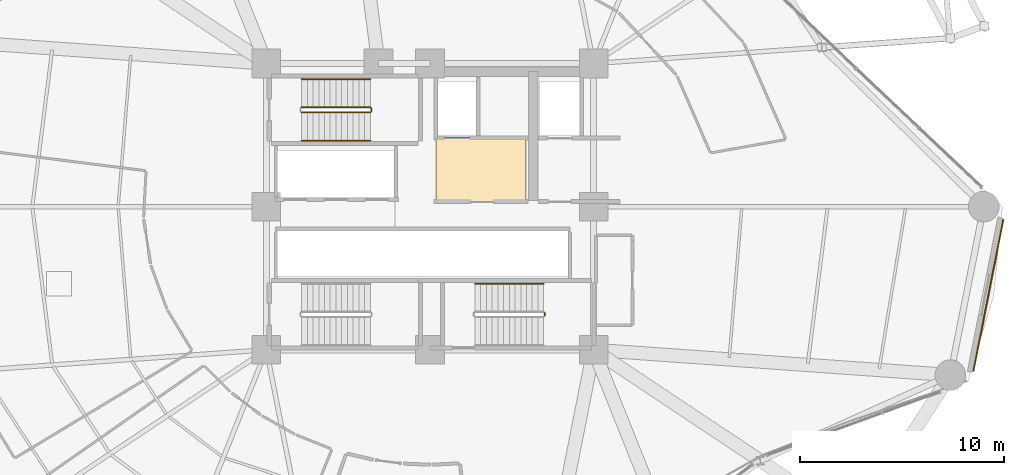
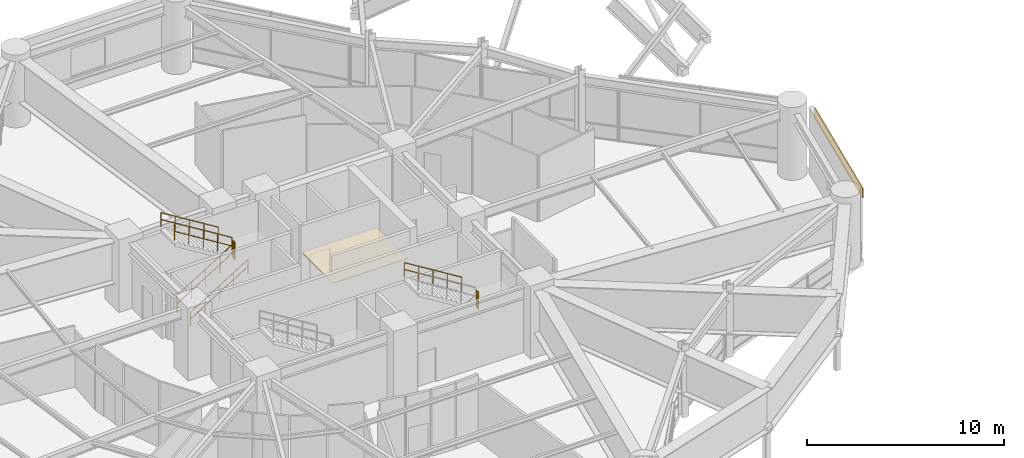
# One storey, part 51 of 53: 7 railings, 2 coverings.
"""IFC4 building model written with IfcOpenShell, lengths in metres."""

import ifcopenshell
import ifcopenshell.guid

model = None  # the IFC model being written
_history = None  # IfcOwnerHistory: only IFC2X3 demands one
_inside = {}  # id of a spatial element -> (the spatial element, [elements in it])
_under = {}  # id of a project, library or spatial element -> (it, [spatial elements below it])
_declared = {}  # id of a project -> (the project, [libraries it declares])
_typed = {}  # id of a type object -> (the type object, [elements of that type])
_made_of = {}  # id of a material, layer set ... -> (it, [elements and type objects made of it])


def new_model(schema):
    """Start an empty IFC model of exactly this schema.

    Asked for "IFC4X3", IfcOpenShell would pick the latest addendum, in which some entities
    have other attributes; the version numbers below select the first issue.
    IFC2X3 requires an IfcOwnerHistory on every rooted entity: one is made here for all.
    """
    global model, _history
    if schema == "IFC4X3":
        model = ifcopenshell.file(schema_version=(4, 3, 0, 0))
    else:
        model = ifcopenshell.file(schema=schema)
    _inside.clear()
    _under.clear()
    _declared.clear()
    _typed.clear()
    _made_of.clear()
    _history = None
    if model.schema == "IFC2X3":
        org = make("IfcOrganization", Name="unknown")
        user = make(
            "IfcPersonAndOrganization",
            ThePerson=make("IfcPerson", FamilyName="unknown"),
            TheOrganization=org,
        )
        app = make(
            "IfcApplication",
            ApplicationDeveloper=org,
            Version="unknown",
            ApplicationFullName="unknown",
            ApplicationIdentifier="unknown",
        )
        _history = make(
            "IfcOwnerHistory",
            OwningUser=user,
            OwningApplication=app,
            ChangeAction="ADDED",
            CreationDate=0,
        )
    return model


def make(cls, **values):
    """One entity of the class cls with the attributes given. An attribute that is None is left unset."""
    return model.create_entity(
        cls, **{name: value for name, value in values.items() if value is not None}
    )


def rooted(cls, **values):
    """An entity with a GlobalId (a new one), such as an element, a storey or a relation."""
    return make(cls, GlobalId=ifcopenshell.guid.new(), OwnerHistory=_history, **values)


def si_unit(unit_type, name, prefix=None):
    """IfcSIUnit, for example si_unit("LENGTHUNIT", "METRE", prefix="MILLI")."""
    return make("IfcSIUnit", UnitType=unit_type, Prefix=prefix, Name=name)


def assignment(units):
    """IfcUnitAssignment: the units of a project."""
    return None if units is None else make("IfcUnitAssignment", Units=units)


def point(xyz):
    """IfcCartesianPoint."""
    return None if xyz is None else make("IfcCartesianPoint", Coordinates=xyz)


def direction(xyz):
    """IfcDirection."""
    return None if xyz is None else make("IfcDirection", DirectionRatios=xyz)


def frame(location, z_axis=None, x_axis=None):
    """IfcAxis2Placement3D, a coordinate frame: its origin and axes. An axis left out is left unset."""
    return make(
        "IfcAxis2Placement3D",
        Location=point(location),
        Axis=direction(z_axis),
        RefDirection=direction(x_axis),
    )


def frame_2d(location, x_axis=None):
    """IfcAxis2Placement2D, a coordinate frame in the plane: its origin and x axis."""
    return make(
        "IfcAxis2Placement2D", Location=point(location), RefDirection=direction(x_axis)
    )


def origin():
    """The frame at (0, 0, 0) with its axes left unset."""
    return frame((0.0, 0.0, 0.0))


def origin_2d():
    """The frame at (0, 0) in the plane with its x axis left unset."""
    return frame_2d((0.0, 0.0))


def place(relative_to, where):
    """IfcLocalPlacement: puts the frame where relative to a parent placement (None: the world)."""
    return make(
        "IfcLocalPlacement", PlacementRelTo=relative_to, RelativePlacement=where
    )


def context(
    kind, dimensions, precision=None, world=None, true_north=None, identifier=None
):
    """IfcGeometricRepresentationContext, for example the 3D "Model" context."""
    return make(
        "IfcGeometricRepresentationContext",
        ContextIdentifier=identifier,
        ContextType=kind,
        CoordinateSpaceDimension=dimensions,
        Precision=precision,
        WorldCoordinateSystem=world,
        TrueNorth=true_north,
    )


def subcontext(parent, identifier, kind, view, scale=None):
    """IfcGeometricRepresentationSubContext, for example "Body" below "Model"."""
    return make(
        "IfcGeometricRepresentationSubContext",
        ContextIdentifier=identifier,
        ContextType=kind,
        ParentContext=parent,
        TargetScale=scale,
        TargetView=view,
    )


def project(units=None, contexts=None):
    """IfcProject with its units and contexts."""
    return rooted(
        "IfcProject",
        Name="project",
        RepresentationContexts=contexts,
        UnitsInContext=assignment(units),
    )


def spatial(cls, under=None, at=None, **own):
    """A site, building, storey or space (cls), placed at a placement, below another one or the project."""
    s = rooted(cls, ObjectPlacement=at, **own)
    if under is not None:
        _under.setdefault(under.id(), (under, []))[1].append(s)
    return s


def polyline(points):
    """IfcPolyline through the points."""
    return make("IfcPolyline", Points=[point(p) for p in points])


def profile(cls, at=None, kind="AREA", **sizes):
    """A parametric profile (cls). Its sizes go by their IFC names, for example OverallWidth=200.0."""
    return make(cls, ProfileType=kind, Position=at, **sizes)


def rectangle(**sizes):
    """IfcRectangleProfileDef."""
    return profile("IfcRectangleProfileDef", **sizes)


def outline(outer, holes=None, kind="AREA"):
    """IfcArbitraryClosedProfileDef: a profile drawn as a closed curve; with holes, ...WithVoids."""
    if holes is None:
        return make("IfcArbitraryClosedProfileDef", ProfileType=kind, OuterCurve=outer)
    return make(
        "IfcArbitraryProfileDefWithVoids",
        ProfileType=kind,
        OuterCurve=outer,
        InnerCurves=holes,
    )


def extrude(swept, where, along, depth):
    """IfcExtrudedAreaSolid: the profile swept, set in the frame where, extruded along a direction by depth."""
    return make(
        "IfcExtrudedAreaSolid",
        SweptArea=swept,
        Position=where,
        ExtrudedDirection=direction(along),
        Depth=depth,
    )


def shape(context_of_items, identifier, shape_type, items):
    """IfcShapeRepresentation: the items that make up one representation, for example the "Body"."""
    return make(
        "IfcShapeRepresentation",
        ContextOfItems=context_of_items,
        RepresentationIdentifier=identifier,
        RepresentationType=shape_type,
        Items=items,
    )


def source(mapping_origin, context_of_items, identifier, shape_type, items):
    """IfcRepresentationMap: a shape defined once, which mapped items show again and again."""
    return make(
        "IfcRepresentationMap",
        MappingOrigin=mapping_origin,
        MappedRepresentation=shape(context_of_items, identifier, shape_type, items),
    )


def transform(
    local_origin,
    x_axis=None,
    y_axis=None,
    z_axis=None,
    scale=None,
    scale2=None,
    scale3=None,
    uniform=True,
):
    """IfcCartesianTransformationOperator3D, or its non-uniform kind. x_axis, y_axis, z_axis: its Axis1, 2, 3."""
    if uniform:
        return make(
            "IfcCartesianTransformationOperator3D",
            Axis1=direction(x_axis),
            Axis2=direction(y_axis),
            LocalOrigin=point(local_origin),
            Scale=scale,
            Axis3=direction(z_axis),
        )
    return make(
        "IfcCartesianTransformationOperator3DnonUniform",
        Axis1=direction(x_axis),
        Axis2=direction(y_axis),
        LocalOrigin=point(local_origin),
        Scale=scale,
        Axis3=direction(z_axis),
        Scale2=scale2,
        Scale3=scale3,
    )


def mapped(mapping_source, mapping_target):
    """IfcMappedItem: shows the shape of a source again, moved by a transform."""
    return make(
        "IfcMappedItem", MappingSource=mapping_source, MappingTarget=mapping_target
    )


def material(Name=None, Category=None):
    """IfcMaterial."""
    return make("IfcMaterial", Name=Name, Category=Category)


def layer(
    of_material, thickness, ventilated=None, Name=None, Category=None, Priority=None
):
    """IfcMaterialLayer: one layer of a wall or slab, of a material (None: an air gap)."""
    return make(
        "IfcMaterialLayer",
        Material=of_material,
        LayerThickness=thickness,
        IsVentilated=ventilated,
        Name=Name,
        Category=Category,
        Priority=Priority,
    )


def layer_set(layers, Name=None):
    """IfcMaterialLayerSet."""
    return make("IfcMaterialLayerSet", MaterialLayers=layers, LayerSetName=Name)


def made_of(thing, what):
    """Note that an element or type object is made of a material, layer set ...; save() writes the relation."""
    if what is not None:
        _made_of.setdefault(what.id(), (what, []))[1].append(thing)
    return thing


def type_object(cls, material=None, **own):
    """A type object (cls), such as IfcWallType, which elements share."""
    return made_of(rooted(cls, **own), material)


def element(
    cls,
    number,
    at=None,
    inside=None,
    cuts=None,
    type_object=None,
    material=None,
    context=None,
    identifier="Body",
    shape_type=None,
    held_by="IfcProductDefinitionShape",
    body=None,
    shapes=None,
    **own,
):
    """One element of the class cls, such as IfcWall. Its Tag is "e" and its number.

    at: its placement. inside: the storey or other place that contains it. cuts: it is an
    opening in that element (IfcRelVoidsElement). A single representation is given by context,
    identifier, shape_type and body (its items); several are given by shapes. held_by: the class
    of the entity that holds the representations. save() writes the other relations.
    """
    e = rooted(cls, Tag="e%d" % number, ObjectPlacement=at, **own)
    if body is not None:
        shapes = [shape(context, identifier, shape_type, body)]
    if shapes is not None:
        e.Representation = make(held_by, Representations=shapes)
    if inside is not None:
        _inside.setdefault(inside.id(), (inside, []))[1].append(e)
    if cuts is not None:
        rooted(
            "IfcRelVoidsElement", RelatingBuildingElement=cuts, RelatedOpeningElement=e
        )
    if type_object is not None:
        _typed.setdefault(type_object.id(), (type_object, []))[1].append(e)
    return made_of(e, material)


def aggregate(whole, parts):
    """IfcRelAggregates: a whole, such as a stair, and the parts it consists of."""
    return rooted("IfcRelAggregates", RelatingObject=whole, RelatedObjects=parts)


def save(model, path):
    """Write the relations noted so far, then the file.

    IfcRelAggregates (storeys below a building ...), IfcRelContainedInSpatialStructure (elements
    in a storey), IfcRelDefinesByType, IfcRelAssociatesMaterial and IfcRelDeclares: one each for
    every whole, place, type object, material and project.
    """
    for whole, parts in _under.values():
        aggregate(whole, parts)
    for where, things in _inside.values():
        rooted(
            "IfcRelContainedInSpatialStructure",
            RelatedElements=things,
            RelatingStructure=where,
        )
    for kind, things in _typed.values():
        rooted("IfcRelDefinesByType", RelatedObjects=things, RelatingType=kind)
    for what, things in _made_of.values():
        rooted("IfcRelAssociatesMaterial", RelatedObjects=things, RelatingMaterial=what)
    for by, libraries in _declared.values():
        rooted("IfcRelDeclares", RelatingContext=by, RelatedDefinitions=libraries)
    model.write(path)


model = new_model("IFC4")

# Units and contexts
model_context = context("Model", 3, precision=1e-05, world=origin(), true_north=direction((0.0, 1.0)))
body_context = subcontext(model_context, "Body", "Model", "MODEL_VIEW")
ifc_project = project(units=[si_unit("LENGTHUNIT", "METRE"), si_unit("AREAUNIT", "SQUARE_METRE"), si_unit("VOLUMEUNIT", "CUBIC_METRE"), si_unit("PLANEANGLEUNIT", "RADIAN"), si_unit("MASSUNIT", "GRAM", prefix="KILO")], contexts=[model_context])

# Site, building, storey
site_placement = place(None, origin())
site = spatial("IfcSite", under=ifc_project, at=site_placement, CompositionType="ELEMENT")
building_placement = place(site_placement, origin())
building = spatial("IfcBuilding", under=site, at=building_placement, Name="Kelanora Arch Commons", CompositionType="ELEMENT")
storey_placement = place(building_placement, frame((0.0, 0.0, 9.0)))
storey = spatial("IfcBuildingStorey", under=building, at=storey_placement, Name="L02", CompositionType="ELEMENT", Elevation=9.0)

# Railings
ifc_material_1 = material(Name="Painted steel stair well guard", Category="steel")
railing_type_1 = type_object("IfcRailingType", Name="RAIL-STAIR-GRD", PredefinedType="GUARDRAIL", material=ifc_material_1)
railing_1_placement = place(storey_placement, frame((67.719970703125, 62.610107421875, 0.173095703125)))
element("IfcRailing", 1, at=railing_1_placement, inside=storey, type_object=railing_type_1, Name="L02 ST-T1 stair guard 1", PredefinedType="GUARDRAIL", context=body_context, shape_type="SweptSolid", body=[
    extrude(outline(polyline([(0.02392578125, 0.0), (0.011962890625, 0.020751953125), (-0.011962890625, 0.020751953125), (-0.02392578125, 0.0), (-0.011962890625, -0.020751953125), (0.011962890625, -0.020751953125), (0.02392578125, 0.0)])), frame((0.0, 0.0, 1.076171875), z_axis=(0.850623216509, 0.0, 0.525775754039), x_axis=(0.0, 1.0, 0.0)), (0.0, 0.0, 1.0), 3.9501953125),
    extrude(outline(polyline([(0.02392578125, 0.0), (0.011962890625, 0.020751953125), (-0.011962890625, 0.020751953125), (-0.02392578125, 0.0), (-0.011962890625, -0.020751953125), (0.011962890625, -0.020751953125), (0.02392578125, 0.0)])), frame((0.0, 0.0, 0.550048828125), z_axis=(0.850623216509, 0.0, 0.525775754039), x_axis=(0.0, 1.0, 0.0)), (0.0, 0.0, 1.0), 3.9501953125),
    extrude(outline(polyline([(0.02099609375, 0.0), (0.010498046875, 0.01806640625), (-0.010498046875, 0.01806640625), (-0.02099609375, 0.0), (-0.010498046875, -0.01806640625), (0.010498046875, -0.01806640625), (0.02099609375, 0.0)])), origin(), (0.0, 0.0, 1.0), 1.052001953125),
    extrude(outline(polyline([(0.02099609375, 0.0), (0.010498046875, 0.01806640625), (-0.010498046875, 0.01806640625), (-0.02099609375, 0.0), (-0.010498046875, -0.01806640625), (0.010498046875, -0.01806640625), (0.02099609375, 0.0)])), frame((0.840087890625, 0.0, 0.519287109375)), (0.0, 0.0, 1.0), 1.052001953125),
    extrude(outline(polyline([(0.02099609375, 0.0), (0.010498046875, 0.01806640625), (-0.010498046875, 0.01806640625), (-0.02099609375, 0.0), (-0.010498046875, -0.01806640625), (0.010498046875, -0.01806640625), (0.02099609375, 0.0)])), frame((1.68017578125, 0.0, 1.03857421875)), (0.0, 0.0, 1.0), 1.052001953125),
    extrude(outline(polyline([(0.02099609375, 0.0), (0.010498046875, 0.01806640625), (-0.010498046875, 0.01806640625), (-0.02099609375, 0.0), (-0.010498046875, -0.01806640625), (0.010498046875, -0.01806640625), (0.02099609375, 0.0)])), frame((2.52001953125, 0.0, 1.5576171875)), (0.0, 0.0, 1.0), 1.052001953125),
    extrude(outline(polyline([(0.02099609375, 0.0), (0.010498046875, 0.01806640625), (-0.010498046875, 0.01806640625), (-0.02099609375, 0.0), (-0.010498046875, -0.01806640625), (0.010498046875, -0.01806640625), (0.02099609375, 0.0)])), frame((3.360107421875, 0.0, 2.076904296875)), (0.0, 0.0, 1.0), 1.052001953125),
])
railing_2_placement = place(storey_placement, frame((71.1298828125, 62.659912109375, 2.25)))
element("IfcRailing", 2, at=railing_2_placement, inside=storey, type_object=railing_type_1, Name="L02 ST-T1 stair guard 2", PredefinedType="GUARDRAIL", context=body_context, shape_type="SweptSolid", body=[
    extrude(outline(polyline([(0.02392578125, 0.0), (0.011962890625, 0.020751953125), (-0.011962890625, 0.020751953125), (-0.02392578125, 0.0), (-0.011962890625, -0.020751953125), (0.011962890625, -0.020751953125), (0.02392578125, 0.0)])), frame((0.0, 0.0, 1.076171875), z_axis=(0.0, 1.0, 0.0), x_axis=(-1.0, 0.0, 0.0)), (0.0, 0.0, 1.0), 0.150146484375),
    extrude(outline(polyline([(0.02392578125, 0.0), (0.011962890625, 0.020751953125), (-0.011962890625, 0.020751953125), (-0.02392578125, 0.0), (-0.011962890625, -0.020751953125), (0.011962890625, -0.020751953125), (0.02392578125, 0.0)])), frame((0.0, 0.0, 0.550048828125), z_axis=(0.0, 1.0, 0.0), x_axis=(-1.0, 0.0, 0.0)), (0.0, 0.0, 1.0), 0.150146484375),
    extrude(outline(polyline([(0.02099609375, 0.0), (0.010498046875, 0.01806640625), (-0.010498046875, 0.01806640625), (-0.02099609375, 0.0), (-0.010498046875, -0.01806640625), (0.010498046875, -0.01806640625), (0.02099609375, 0.0)])), origin(), (0.0, 0.0, 1.0), 1.052001953125),
    extrude(outline(polyline([(0.02099609375, 0.0), (0.010498046875, 0.01806640625), (-0.010498046875, 0.01806640625), (-0.02099609375, 0.0), (-0.010498046875, -0.01806640625), (0.010498046875, -0.01806640625), (0.02099609375, 0.0)])), frame((0.0, 0.150146484375, 0.0)), (0.0, 0.0, 1.0), 1.052001953125),
])
railing_3_placement = place(storey_placement, frame((71.080078125, 62.860107421875, 2.423095703125)))
element("IfcRailing", 3, at=railing_3_placement, inside=storey, type_object=railing_type_1, Name="L02 ST-T1 stair guard 3", PredefinedType="GUARDRAIL", context=body_context, shape_type="SweptSolid", body=[
    extrude(outline(polyline([(0.02392578125, 0.0), (0.011962890625, 0.020751953125), (-0.011962890625, 0.020751953125), (-0.02392578125, 0.0), (-0.011962890625, -0.020751953125), (0.011962890625, -0.020751953125), (0.02392578125, 0.0)])), frame((0.0, 0.0, 1.076171875), z_axis=(-0.850623216509, 0.0, 0.525775754039), x_axis=(0.0, -1.0, 0.0)), (0.0, 0.0, 1.0), 3.9501953125),
    extrude(outline(polyline([(0.02392578125, 0.0), (0.011962890625, 0.020751953125), (-0.011962890625, 0.020751953125), (-0.02392578125, 0.0), (-0.011962890625, -0.020751953125), (0.011962890625, -0.020751953125), (0.02392578125, 0.0)])), frame((0.0, 0.0, 0.550048828125), z_axis=(-0.850623216509, 0.0, 0.525775754039), x_axis=(0.0, -1.0, 0.0)), (0.0, 0.0, 1.0), 3.9501953125),
    extrude(outline(polyline([(0.02099609375, 0.0), (0.010498046875, 0.01806640625), (-0.010498046875, 0.01806640625), (-0.02099609375, 0.0), (-0.010498046875, -0.01806640625), (0.010498046875, -0.01806640625), (0.02099609375, 0.0)])), origin(), (0.0, 0.0, 1.0), 1.052001953125),
    extrude(outline(polyline([(0.02099609375, 0.0), (0.010498046875, 0.01806640625), (-0.010498046875, 0.01806640625), (-0.02099609375, 0.0), (-0.010498046875, -0.01806640625), (0.010498046875, -0.01806640625), (0.02099609375, 0.0)])), frame((-0.840087890625, 0.0, 0.519287109375)), (0.0, 0.0, 1.0), 1.052001953125),
    extrude(outline(polyline([(0.02099609375, 0.0), (0.010498046875, 0.01806640625), (-0.010498046875, 0.01806640625), (-0.02099609375, 0.0), (-0.010498046875, -0.01806640625), (0.010498046875, -0.01806640625), (0.02099609375, 0.0)])), frame((-1.68017578125, 0.0, 1.03857421875)), (0.0, 0.0, 1.0), 1.052001953125),
    extrude(outline(polyline([(0.02099609375, 0.0), (0.010498046875, 0.01806640625), (-0.010498046875, 0.01806640625), (-0.02099609375, 0.0), (-0.010498046875, -0.01806640625), (0.010498046875, -0.01806640625), (0.02099609375, 0.0)])), frame((-2.52001953125, 0.0, 1.5576171875)), (0.0, 0.0, 1.0), 1.052001953125),
    extrude(outline(polyline([(0.02099609375, 0.0), (0.010498046875, 0.01806640625), (-0.010498046875, 0.01806640625), (-0.02099609375, 0.0), (-0.010498046875, -0.01806640625), (0.010498046875, -0.01806640625), (0.02099609375, 0.0)])), frame((-3.360107421875, 0.0, 2.076904296875)), (0.0, 0.0, 1.0), 1.052001953125),
])
railing_4_placement = place(storey_placement, frame((79.610107421875, 52.659912109375, 2.25)))
element("IfcRailing", 4, at=railing_4_placement, inside=storey, type_object=railing_type_1, Name="L02 ST-T2 stair guard 2", PredefinedType="GUARDRAIL", context=body_context, shape_type="SweptSolid", body=[
    extrude(outline(polyline([(0.02392578125, 0.0), (0.011962890625, 0.020751953125), (-0.011962890625, 0.020751953125), (-0.02392578125, 0.0), (-0.011962890625, -0.020751953125), (0.011962890625, -0.020751953125), (0.02392578125, 0.0)])), frame((0.0, 0.0, 1.076171875), z_axis=(0.0, 1.0, 0.0), x_axis=(-1.0, 0.0, 0.0)), (0.0, 0.0, 1.0), 0.150146484375),
    extrude(outline(polyline([(0.02392578125, 0.0), (0.011962890625, 0.020751953125), (-0.011962890625, 0.020751953125), (-0.02392578125, 0.0), (-0.011962890625, -0.020751953125), (0.011962890625, -0.020751953125), (0.02392578125, 0.0)])), frame((0.0, 0.0, 0.550048828125), z_axis=(0.0, 1.0, 0.0), x_axis=(-1.0, 0.0, 0.0)), (0.0, 0.0, 1.0), 0.150146484375),
    extrude(outline(polyline([(0.02099609375, 0.0), (0.010498046875, 0.01806640625), (-0.010498046875, 0.01806640625), (-0.02099609375, 0.0), (-0.010498046875, -0.01806640625), (0.010498046875, -0.01806640625), (0.02099609375, 0.0)])), origin(), (0.0, 0.0, 1.0), 1.052001953125),
    extrude(outline(polyline([(0.02099609375, 0.0), (0.010498046875, 0.01806640625), (-0.010498046875, 0.01806640625), (-0.02099609375, 0.0), (-0.010498046875, -0.01806640625), (0.010498046875, -0.01806640625), (0.02099609375, 0.0)])), frame((0.0, 0.150146484375, 0.0)), (0.0, 0.0, 1.0), 1.052001953125),
])
ifc_material_2 = material(Name="Brushed stainless steel stair handrail", Category="steel")
railing_type_2 = type_object("IfcRailingType", Name="RAIL-STAIR-HND", PredefinedType="HANDRAIL", material=ifc_material_2)
railing_5_placement = place(storey_placement, frame((67.719970703125, 61.22998046875, 0.173095703125)))
element("IfcRailing", 5, at=railing_5_placement, inside=storey, type_object=railing_type_2, Name="L02 ST-T1 stair handrail 1", PredefinedType="HANDRAIL", context=body_context, shape_type="SweptSolid", body=[
    extrude(outline(polyline([(0.02392578125, 0.0), (0.011962890625, 0.020751953125), (-0.011962890625, 0.020751953125), (-0.02392578125, 0.0), (-0.011962890625, -0.020751953125), (0.011962890625, -0.020751953125), (0.02392578125, 0.0)])), frame((0.0, 0.0, 0.8759765625), z_axis=(0.850623216509, 0.0, 0.525775754039), x_axis=(0.0, 1.0, 0.0)), (0.0, 0.0, 1.0), 3.9501953125),
    extrude(outline(polyline([(0.02392578125, 0.0), (0.011962890625, 0.020751953125), (-0.011962890625, 0.020751953125), (-0.02392578125, 0.0), (-0.011962890625, -0.020751953125), (0.011962890625, -0.020751953125), (0.02392578125, 0.0)])), frame((0.0, 0.0, 0.449951171875), z_axis=(0.850623216509, 0.0, 0.525775754039), x_axis=(0.0, 1.0, 0.0)), (0.0, 0.0, 1.0), 3.9501953125),
    extrude(outline(polyline([(0.02099609375, 0.0), (0.010498046875, 0.01806640625), (-0.010498046875, 0.01806640625), (-0.02099609375, 0.0), (-0.010498046875, -0.01806640625), (0.010498046875, -0.01806640625), (0.02099609375, 0.0)])), origin(), (0.0, 0.0, 1.0), 0.851806640625),
    extrude(outline(polyline([(0.02099609375, 0.0), (0.010498046875, 0.01806640625), (-0.010498046875, 0.01806640625), (-0.02099609375, 0.0), (-0.010498046875, -0.01806640625), (0.010498046875, -0.01806640625), (0.02099609375, 0.0)])), frame((0.840087890625, 0.0, 0.519287109375)), (0.0, 0.0, 1.0), 0.851806640625),
    extrude(outline(polyline([(0.02099609375, 0.0), (0.010498046875, 0.01806640625), (-0.010498046875, 0.01806640625), (-0.02099609375, 0.0), (-0.010498046875, -0.01806640625), (0.010498046875, -0.01806640625), (0.02099609375, 0.0)])), frame((1.68017578125, 0.0, 1.03857421875)), (0.0, 0.0, 1.0), 0.851806640625),
    extrude(outline(polyline([(0.02099609375, 0.0), (0.010498046875, 0.01806640625), (-0.010498046875, 0.01806640625), (-0.02099609375, 0.0), (-0.010498046875, -0.01806640625), (0.010498046875, -0.01806640625), (0.02099609375, 0.0)])), frame((2.52001953125, 0.0, 1.5576171875)), (0.0, 0.0, 1.0), 0.851806640625),
    extrude(outline(polyline([(0.02099609375, 0.0), (0.010498046875, 0.01806640625), (-0.010498046875, 0.01806640625), (-0.02099609375, 0.0), (-0.010498046875, -0.01806640625), (0.010498046875, -0.01806640625), (0.02099609375, 0.0)])), frame((3.360107421875, 0.0, 2.076904296875)), (0.0, 0.0, 1.0), 0.851806640625),
])
railing_6_placement = place(storey_placement, frame((71.080078125, 64.239990234375, 2.423095703125)))
element("IfcRailing", 6, at=railing_6_placement, inside=storey, type_object=railing_type_2, Name="L02 ST-T1 stair handrail 2", PredefinedType="HANDRAIL", context=body_context, shape_type="SweptSolid", body=[
    extrude(outline(polyline([(0.02392578125, 0.0), (0.011962890625, 0.020751953125), (-0.011962890625, 0.020751953125), (-0.02392578125, 0.0), (-0.011962890625, -0.020751953125), (0.011962890625, -0.020751953125), (0.02392578125, 0.0)])), frame((0.0, 0.0, 0.8759765625), z_axis=(-0.850623216509, 0.0, 0.525775754039), x_axis=(0.0, -1.0, 0.0)), (0.0, 0.0, 1.0), 3.9501953125),
    extrude(outline(polyline([(0.02392578125, 0.0), (0.011962890625, 0.020751953125), (-0.011962890625, 0.020751953125), (-0.02392578125, 0.0), (-0.011962890625, -0.020751953125), (0.011962890625, -0.020751953125), (0.02392578125, 0.0)])), frame((0.0, 0.0, 0.449951171875), z_axis=(-0.850623216509, 0.0, 0.525775754039), x_axis=(0.0, -1.0, 0.0)), (0.0, 0.0, 1.0), 3.9501953125),
    extrude(outline(polyline([(0.02099609375, 0.0), (0.010498046875, 0.01806640625), (-0.010498046875, 0.01806640625), (-0.02099609375, 0.0), (-0.010498046875, -0.01806640625), (0.010498046875, -0.01806640625), (0.02099609375, 0.0)])), origin(), (0.0, 0.0, 1.0), 0.851806640625),
    extrude(outline(polyline([(0.02099609375, 0.0), (0.010498046875, 0.01806640625), (-0.010498046875, 0.01806640625), (-0.02099609375, 0.0), (-0.010498046875, -0.01806640625), (0.010498046875, -0.01806640625), (0.02099609375, 0.0)])), frame((-0.840087890625, 0.0, 0.519287109375)), (0.0, 0.0, 1.0), 0.851806640625),
    extrude(outline(polyline([(0.02099609375, 0.0), (0.010498046875, 0.01806640625), (-0.010498046875, 0.01806640625), (-0.02099609375, 0.0), (-0.010498046875, -0.01806640625), (0.010498046875, -0.01806640625), (0.02099609375, 0.0)])), frame((-1.68017578125, 0.0, 1.03857421875)), (0.0, 0.0, 1.0), 0.851806640625),
    extrude(outline(polyline([(0.02099609375, 0.0), (0.010498046875, 0.01806640625), (-0.010498046875, 0.01806640625), (-0.02099609375, 0.0), (-0.010498046875, -0.01806640625), (0.010498046875, -0.01806640625), (0.02099609375, 0.0)])), frame((-2.52001953125, 0.0, 1.5576171875)), (0.0, 0.0, 1.0), 0.851806640625),
    extrude(outline(polyline([(0.02099609375, 0.0), (0.010498046875, 0.01806640625), (-0.010498046875, 0.01806640625), (-0.02099609375, 0.0), (-0.010498046875, -0.01806640625), (0.010498046875, -0.01806640625), (0.02099609375, 0.0)])), frame((-3.360107421875, 0.0, 2.076904296875)), (0.0, 0.0, 1.0), 0.851806640625),
])
railing_7_placement = place(storey_placement, frame((79.56005859375, 54.239990234375, 2.423095703125)))
element("IfcRailing", 7, at=railing_7_placement, inside=storey, type_object=railing_type_2, Name="L02 ST-T2 stair handrail 2", PredefinedType="HANDRAIL", context=body_context, shape_type="SweptSolid", body=[
    extrude(outline(polyline([(0.02392578125, 0.0), (0.011962890625, 0.020751953125), (-0.011962890625, 0.020751953125), (-0.02392578125, 0.0), (-0.011962890625, -0.020751953125), (0.011962890625, -0.020751953125), (0.02392578125, 0.0)])), frame((0.0, 0.0, 0.8759765625), z_axis=(-0.850623216509, 0.0, 0.525775754039), x_axis=(0.0, -1.0, 0.0)), (0.0, 0.0, 1.0), 3.9501953125),
    extrude(outline(polyline([(0.02392578125, 0.0), (0.011962890625, 0.020751953125), (-0.011962890625, 0.020751953125), (-0.02392578125, 0.0), (-0.011962890625, -0.020751953125), (0.011962890625, -0.020751953125), (0.02392578125, 0.0)])), frame((0.0, 0.0, 0.449951171875), z_axis=(-0.850623216509, 0.0, 0.525775754039), x_axis=(0.0, -1.0, 0.0)), (0.0, 0.0, 1.0), 3.9501953125),
    extrude(outline(polyline([(0.02099609375, 0.0), (0.010498046875, 0.01806640625), (-0.010498046875, 0.01806640625), (-0.02099609375, 0.0), (-0.010498046875, -0.01806640625), (0.010498046875, -0.01806640625), (0.02099609375, 0.0)])), origin(), (0.0, 0.0, 1.0), 0.851806640625),
    extrude(outline(polyline([(0.02099609375, 0.0), (0.010498046875, 0.01806640625), (-0.010498046875, 0.01806640625), (-0.02099609375, 0.0), (-0.010498046875, -0.01806640625), (0.010498046875, -0.01806640625), (0.02099609375, 0.0)])), frame((-0.840087890625, 0.0, 0.519287109375)), (0.0, 0.0, 1.0), 0.851806640625),
    extrude(outline(polyline([(0.02099609375, 0.0), (0.010498046875, 0.01806640625), (-0.010498046875, 0.01806640625), (-0.02099609375, 0.0), (-0.010498046875, -0.01806640625), (0.010498046875, -0.01806640625), (0.02099609375, 0.0)])), frame((-1.68017578125, 0.0, 1.03857421875)), (0.0, 0.0, 1.0), 0.851806640625),
    extrude(outline(polyline([(0.02099609375, 0.0), (0.010498046875, 0.01806640625), (-0.010498046875, 0.01806640625), (-0.02099609375, 0.0), (-0.010498046875, -0.01806640625), (0.010498046875, -0.01806640625), (0.02099609375, 0.0)])), frame((-2.52001953125, 0.0, 1.5576171875)), (0.0, 0.0, 1.0), 0.851806640625),
    extrude(outline(polyline([(0.02099609375, 0.0), (0.010498046875, 0.01806640625), (-0.010498046875, 0.01806640625), (-0.02099609375, 0.0), (-0.010498046875, -0.01806640625), (0.010498046875, -0.01806640625), (0.02099609375, 0.0)])), frame((-3.360107421875, 0.0, 2.076904296875)), (0.0, 0.0, 1.0), 0.851806640625),
])

# Coverings
ifc_material_3 = material(Name="Glazed architectural terracotta spandrel cladding", Category="masonry")
ifc_layer_1 = layer(ifc_material_3, 0.06005859375)
ifc_layer_set_1 = layer_set([ifc_layer_1], Name="Glazed architectural terracotta spandrel cladding")
covering_type_1 = type_object("IfcCoveringType", Name="COV-CLAD-TC", PredefinedType="CLADDING", material=ifc_layer_set_1)
shared_shape_1 = source(origin(), body_context, "Body", "SweptSolid", [
    extrude(rectangle(XDim=7.58251953125, YDim=0.06005859375, at=origin_2d()), origin(), (0.0, 0.0, 1.0), 0.60009765625),
])
covering_1_placement = place(storey_placement, frame((101.305419921875, 53.66748046875, 3.43505859375), z_axis=(0.0, 0.0, 1.0), x_axis=(0.19374368704, 0.981052181962, 0.0)))
element("IfcCovering", 8, at=covering_1_placement, inside=storey, type_object=covering_type_1, Name="Terracotta Spandrel Cladding L02-B17", PredefinedType="CLADDING", context=body_context, shape_type="MappedRepresentation", body=[
    mapped(shared_shape_1, transform((0.0, 0.0, 0.0), scale=1.0)),
])
ifc_material_4 = material(Name="Perforated acoustic mineral-fibre ceiling")
ifc_layer_2 = layer(ifc_material_4, 0.0400390625)
ifc_layer_set_2 = layer_set([ifc_layer_2], Name="Perforated acoustic mineral-fibre ceiling")
covering_type_2 = type_object("IfcCoveringType", Name="COV-CEIL-AC", PredefinedType="CEILING", material=ifc_layer_set_2)
shared_shape_2 = source(origin(), body_context, "Body", "SweptSolid", [
    extrude(rectangle(XDim=4.39990234375, YDim=3.199951171875, at=origin_2d()), origin(), (0.0, 0.0, 1.0), 0.0400390625),
])
covering_2_placement = place(storey_placement, frame((76.5, 59.800048828125, 2.330078125), z_axis=(0.0, 0.0, 1.0), x_axis=(1.0, 0.0, 0.0)))
element("IfcCovering", 9, at=covering_2_placement, inside=storey, type_object=covering_type_2, Name="Firefighting Lobby Acoustic Ceiling L02", PredefinedType="CEILING", context=body_context, shape_type="MappedRepresentation", body=[
    mapped(shared_shape_2, transform((0.0, 0.0, 0.0), scale=1.0)),
])

save(model, "model.ifc")
